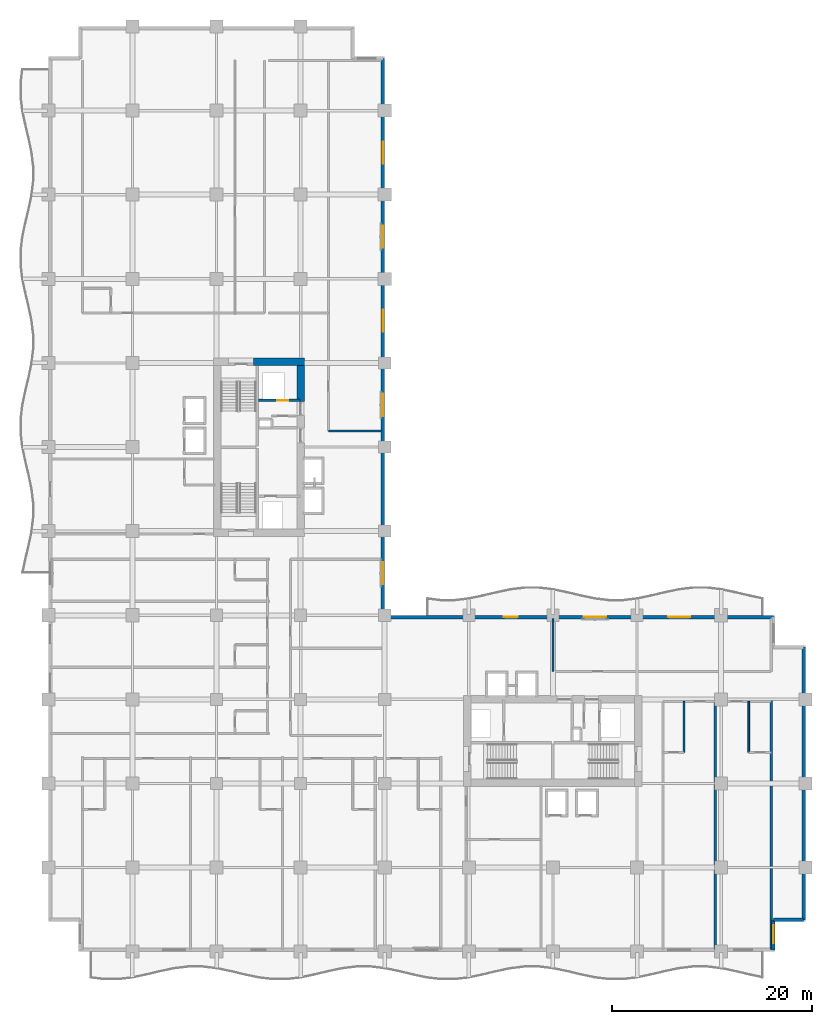
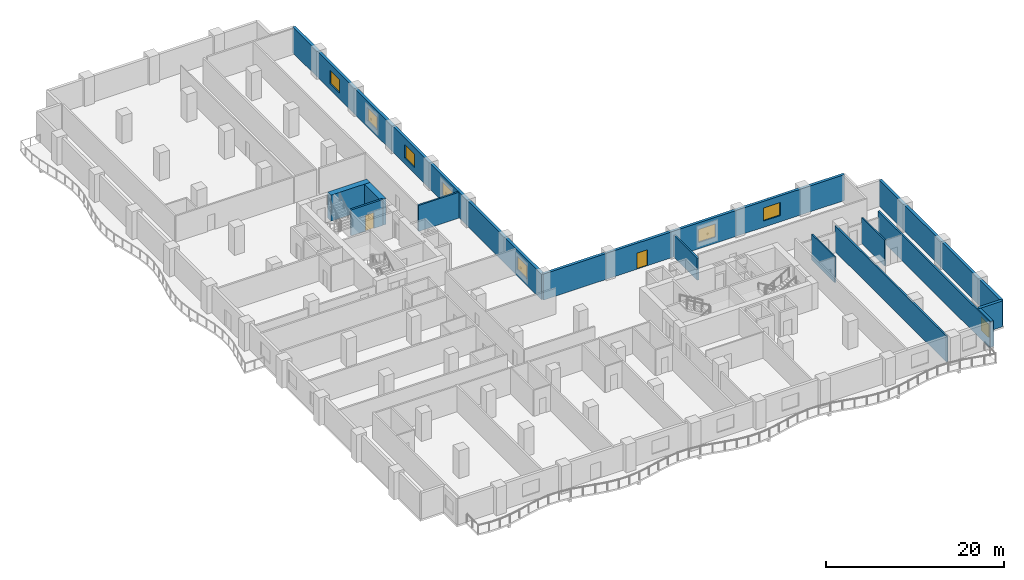
# One storey, part 9 of 18: 14 walls, 8 windows, 2 doors, 10 openings.
"""IFC4 building model written with IfcOpenShell, lengths in metres."""

from ifc_helpers import new_model, si_unit, direction, frame, frame_2d, origin, place, context, subcontext, project, spatial, rectangle, extrude, material, layer, layer_set, type_object, element, fill, save


model = new_model("IFC4")

# Units and contexts
model_context = context("Model", 3, precision=1e-05, world=origin(), true_north=direction((0.0, 1.0)))
body_context = subcontext(model_context, "Body", "Model", "MODEL_VIEW")
ifc_project = project(units=[si_unit("LENGTHUNIT", "METRE"), si_unit("AREAUNIT", "SQUARE_METRE"), si_unit("VOLUMEUNIT", "CUBIC_METRE"), si_unit("PLANEANGLEUNIT", "RADIAN"), si_unit("MASSUNIT", "GRAM", prefix="KILO")], contexts=[model_context])

# Site, building, storey
site_placement = place(None, origin())
site = spatial("IfcSite", under=ifc_project, at=site_placement, CompositionType="ELEMENT")
building_placement = place(site_placement, origin())
building = spatial("IfcBuilding", under=site, at=building_placement, Name="Koriwani Terraces Tower", CompositionType="ELEMENT")
storey_placement = place(building_placement, frame((0.0, 0.0, 115.199951171875)))
storey = spatial("IfcBuildingStorey", under=building, at=storey_placement, Name="L27", CompositionType="ELEMENT", Elevation=115.199951171875)

# Walls
ifc_material_1 = material(Name="Concrete C60/75", Category="concrete")
ifc_layer_1 = layer(ifc_material_1, 0.75, Name="Concrete C60/75")
ifc_layer_set_1 = layer_set([ifc_layer_1], Name="Concrete C60/75")
wall_type_1 = type_object("IfcWallType", Name="WALL_CORE_RC_750", PredefinedType="SHEAR", material=ifc_layer_set_1)
wall_1_placement = place(storey_placement, frame((20.5, 58.925048828125, 0.0), z_axis=(0.0, 0.0, 1.0), x_axis=(1.0, 0.0, 0.0)))
element("IfcWall", 1, at=wall_1_placement, inside=storey, type_object=wall_type_1, Name="L27 West Split Core Shear Wall N2", PredefinedType="SHEAR", context=body_context, shape_type="SweptSolid", body=[
    extrude(rectangle(XDim=5.074951171875, YDim=0.75, at=frame_2d((2.53759765625, 0.0))), origin(), (0.0, 0.0, 1.0), 3.550048828125),
])
wall_2_placement = place(storey_placement, frame((25.199951171875, 54.949951171875, 0.0), z_axis=(0.0, 0.0, 1.0), x_axis=(0.0, 1.0, 0.0)))
element("IfcWall", 2, at=wall_2_placement, inside=storey, type_object=wall_type_1, Name="L27 West Split Core Shear Wall E3", PredefinedType="SHEAR", context=body_context, shape_type="SweptSolid", body=[
    extrude(rectangle(XDim=3.60009765625, YDim=0.75, at=frame_2d((1.800048828125, 0.0))), origin(), (0.0, 0.0, 1.0), 3.550048828125),
])
ifc_material_2 = material(Name="Autoclaved Cellular Concrete Blockwork", Category="masonry")
ifc_layer_2 = layer(ifc_material_2, 0.219970703125, Name="Autoclaved Cellular Concrete Blockwork")
ifc_layer_set_2 = layer_set([ifc_layer_2], Name="Autoclaved Cellular Concrete Blockwork")
wall_type_2 = type_object("IfcWallType", Name="WALL_DEMISING_220", PredefinedType="PARTITIONING", material=ifc_layer_set_2)
wall_3_placement = place(storey_placement, frame((28.0, 52.0, 0.0), z_axis=(0.0, 0.0, 1.0), x_axis=(1.0, 0.0, 0.0)))
element("IfcWall", 3, at=wall_3_placement, inside=storey, type_object=wall_type_2, Name="L27 Interior Wall WNWT2-S-L27", PredefinedType="PARTITIONING", context=body_context, shape_type="SweptSolid", body=[
    extrude(rectangle(XDim=5.300048828125, YDim=0.219970703125, at=frame_2d((2.64990234375, 0.0))), origin(), (0.0, 0.0, 1.0), 3.550048828125),
])
for number, where, z_axis, x_axis, name in (
    (4, (66.60009765625, 0.199951171875, 0.0), (0.0, 0.0, 1.0), (0.0, 1.0, 0.0), "L27 Interior Wall WDEM-L27-SE-1"),
    (5, (72.199951171875, 0.199951171875, 0.0), (0.0, 0.0, 1.0), (0.0, 1.0, 0.0), "L27 Interior Wall WDEME-L27-SE"),
):
    element("IfcWall", number, at=place(storey_placement, frame(where, z_axis=z_axis, x_axis=x_axis)), inside=storey, type_object=wall_type_2, Name=name, PredefinedType="PARTITIONING", context=body_context, shape_type="SweptSolid", body=[
        extrude(rectangle(XDim=24.97998046875, YDim=0.219970703125, at=frame_2d((12.489990234375, 0.0))), origin(), (0.0, 0.0, 1.0), 3.550048828125),
    ])
wall_4_placement = place(storey_placement, frame((50.39990234375, 28.0, 0.0), z_axis=(0.0, 0.0, 1.0), x_axis=(0.0, 1.0, 0.0)))
element("IfcWall", 6, at=wall_4_placement, inside=storey, type_object=wall_type_2, Name="L27 Interior Wall WSEC-W-L27", PredefinedType="PARTITIONING", context=body_context, shape_type="SweptSolid", body=[
    extrude(rectangle(XDim=5.300048828125, YDim=0.219970703125, at=frame_2d((2.64990234375, 0.0))), origin(), (0.0, 0.0, 1.0), 3.007080078125),
])

# Wall, openings, windows
ifc_material_3 = material(Name="Concrete C50/60", Category="concrete")
ifc_layer_3 = layer(ifc_material_3, 0.35009765625, Name="Concrete C50/60")
ifc_layer_set_3 = layer_set([ifc_layer_3], Name="Concrete C50/60")
wall_type_3 = type_object("IfcWallType", Name="WALL_EXT_BRUTALIST_350", PredefinedType="STANDARD", material=ifc_layer_set_3)
wall_5_placement = place(storey_placement, frame((33.425048828125, 89.22509765625, 0.0), z_axis=(0.0, 0.0, 1.0), x_axis=(0.0, -1.0, 0.0)))
wall_5 = element("IfcWall", 7, at=wall_5_placement, inside=storey, type_object=wall_type_3, Name="L27 Fair-Faced Brutalist Exterior Wall (NW_IN)", PredefinedType="STANDARD", context=body_context, shape_type="SweptSolid", body=[
    extrude(rectangle(XDim=55.800048828125, YDim=0.35009765625, at=frame_2d((27.89990234375, 0.0))), origin(), (0.0, 0.0, 1.0), 3.550048828125),
])
opening_1_placement = place(wall_5_placement, frame((50.324951171875, 0.0, 0.85009765625)))
opening_1 = element("IfcOpeningElement", 8, at=opening_1_placement, cuts=wall_5, Name="Opening W-01", PredefinedType="OPENING", context=body_context, shape_type="SweptSolid", body=[
    extrude(rectangle(XDim=2.199951171875, YDim=1.800048828125, at=frame_2d((1.10009765625, 0.89990234375))), frame((0.0, 0.18505859375, 0.0), z_axis=(0.0, -1.0, 0.0), x_axis=(1.0, 0.0, 0.0)), (0.0, 0.0, 1.0), 0.3701171875),
])
opening_2_placement = place(wall_5_placement, frame((33.52490234375, 0.0, 0.85009765625)))
opening_2 = element("IfcOpeningElement", 9, at=opening_2_placement, cuts=wall_5, Name="Opening W-01", PredefinedType="OPENING", context=body_context, shape_type="SweptSolid", body=[
    extrude(rectangle(XDim=2.199951171875, YDim=1.800048828125, at=frame_2d((1.10009765625, 0.89990234375))), frame((0.0, 0.18505859375, 0.0), z_axis=(0.0, -1.0, 0.0), x_axis=(1.0, 0.0, 0.0)), (0.0, 0.0, 1.0), 0.3701171875),
])
opening_3_placement = place(wall_5_placement, frame((25.125, 0.0, 0.85009765625)))
opening_3 = element("IfcOpeningElement", 10, at=opening_3_placement, cuts=wall_5, Name="Opening W-01", PredefinedType="OPENING", context=body_context, shape_type="SweptSolid", body=[
    extrude(rectangle(XDim=2.199951171875, YDim=1.800048828125, at=frame_2d((1.10009765625, 0.89990234375))), frame((0.0, 0.18505859375, 0.0), z_axis=(0.0, -1.0, 0.0), x_axis=(1.0, 0.0, 0.0)), (0.0, 0.0, 1.0), 0.3701171875),
])
opening_4_placement = place(wall_5_placement, frame((16.72509765625, 0.0, 0.85009765625)))
opening_4 = element("IfcOpeningElement", 11, at=opening_4_placement, cuts=wall_5, Name="Opening W-01", PredefinedType="OPENING", context=body_context, shape_type="SweptSolid", body=[
    extrude(rectangle(XDim=2.199951171875, YDim=1.800048828125, at=frame_2d((1.10009765625, 0.89990234375))), frame((0.0, 0.18505859375, 0.0), z_axis=(0.0, -1.0, 0.0), x_axis=(1.0, 0.0, 0.0)), (0.0, 0.0, 1.0), 0.3701171875),
])
opening_5_placement = place(wall_5_placement, frame((8.324951171875, 0.0, 0.85009765625)))
opening_5 = element("IfcOpeningElement", 12, at=opening_5_placement, cuts=wall_5, Name="Opening W-01", PredefinedType="OPENING", context=body_context, shape_type="SweptSolid", body=[
    extrude(rectangle(XDim=2.199951171875, YDim=1.800048828125, at=frame_2d((1.10009765625, 0.89990234375))), frame((0.0, 0.18505859375, 0.0), z_axis=(0.0, -1.0, 0.0), x_axis=(1.0, 0.0, 0.0)), (0.0, 0.0, 1.0), 0.3701171875),
])
ifc_material_4 = material(Name="Tempered Laminated Low-E Glass", Category="glass")
window_type_1 = type_object("IfcWindowType", Name="WIN_HOTEL_STD_2200X1800", PartitioningType="DOUBLE_PANEL_VERTICAL", PredefinedType="WINDOW", material=ifc_material_4)
window_1_placement = place(opening_1_placement, origin())
window_1 = element("IfcWindow", 13, at=window_1_placement, inside=storey, type_object=window_type_1, Name="L27 Exterior Window (NW_IN-2)", OverallHeight=1.800048828125, OverallWidth=2.199951171875, PartitioningType="SINGLE_PANEL", PredefinedType="WINDOW", context=body_context, shape_type="SweptSolid", body=[
    extrude(rectangle(XDim=2.199951171875, YDim=1.800048828125, at=frame_2d((1.10009765625, 0.89990234375))), frame((0.0, 0.030029296875, 0.0), z_axis=(0.0, -1.0, 0.0), x_axis=(1.0, 0.0, 0.0)), (0.0, 0.0, 1.0), 0.06005859375),
])
fill(opening_1, window_1)
window_2_placement = place(opening_2_placement, origin())
window_2 = element("IfcWindow", 14, at=window_2_placement, inside=storey, type_object=window_type_1, Name="L27 Exterior Window (NW_IN-8)", OverallHeight=1.800048828125, OverallWidth=2.199951171875, PartitioningType="SINGLE_PANEL", PredefinedType="WINDOW", context=body_context, shape_type="SweptSolid", body=[
    extrude(rectangle(XDim=2.199951171875, YDim=1.800048828125, at=frame_2d((1.10009765625, 0.89990234375))), frame((0.0, 0.030029296875, 0.0), z_axis=(0.0, -1.0, 0.0), x_axis=(1.0, 0.0, 0.0)), (0.0, 0.0, 1.0), 0.06005859375),
])
fill(opening_2, window_2)
window_3_placement = place(opening_3_placement, origin())
window_3 = element("IfcWindow", 15, at=window_3_placement, inside=storey, type_object=window_type_1, Name="L27 Exterior Window (NW_IN-11)", OverallHeight=1.800048828125, OverallWidth=2.199951171875, PartitioningType="SINGLE_PANEL", PredefinedType="WINDOW", context=body_context, shape_type="SweptSolid", body=[
    extrude(rectangle(XDim=2.199951171875, YDim=1.800048828125, at=frame_2d((1.10009765625, 0.89990234375))), frame((0.0, 0.030029296875, 0.0), z_axis=(0.0, -1.0, 0.0), x_axis=(1.0, 0.0, 0.0)), (0.0, 0.0, 1.0), 0.06005859375),
])
fill(opening_3, window_3)
window_4_placement = place(opening_4_placement, origin())
window_4 = element("IfcWindow", 16, at=window_4_placement, inside=storey, type_object=window_type_1, Name="L27 Exterior Window (NW_IN-14)", OverallHeight=1.800048828125, OverallWidth=2.199951171875, PartitioningType="SINGLE_PANEL", PredefinedType="WINDOW", context=body_context, shape_type="SweptSolid", body=[
    extrude(rectangle(XDim=2.199951171875, YDim=1.800048828125, at=frame_2d((1.10009765625, 0.89990234375))), frame((0.0, 0.030029296875, 0.0), z_axis=(0.0, -1.0, 0.0), x_axis=(1.0, 0.0, 0.0)), (0.0, 0.0, 1.0), 0.06005859375),
])
fill(opening_4, window_4)
window_5_placement = place(opening_5_placement, origin())
window_5 = element("IfcWindow", 17, at=window_5_placement, inside=storey, type_object=window_type_1, Name="L27 Exterior Window (NW_IN-17)", OverallHeight=1.800048828125, OverallWidth=2.199951171875, PartitioningType="SINGLE_PANEL", PredefinedType="WINDOW", context=body_context, shape_type="SweptSolid", body=[
    extrude(rectangle(XDim=2.199951171875, YDim=1.800048828125, at=frame_2d((1.10009765625, 0.89990234375))), frame((0.0, 0.030029296875, 0.0), z_axis=(0.0, -1.0, 0.0), x_axis=(1.0, 0.0, 0.0)), (0.0, 0.0, 1.0), 0.06005859375),
])
fill(opening_5, window_5)

# Wall, openings, door, windows
wall_6_placement = place(storey_placement, frame((33.425048828125, 33.425048828125, 0.0), z_axis=(0.0, 0.0, 1.0), x_axis=(1.0, 0.0, 0.0)))
wall_6 = element("IfcWall", 18, at=wall_6_placement, inside=storey, type_object=wall_type_3, Name="L27 Fair-Faced Brutalist Exterior Wall (NE)", PredefinedType="STANDARD", context=body_context, shape_type="SweptSolid", body=[
    extrude(rectangle(XDim=39.0, YDim=0.35009765625, at=frame_2d((19.5, 0.0))), origin(), (0.0, 0.0, 1.0), 3.550048828125),
])
opening_6_placement = place(wall_6_placement, frame((12.074951171875, 0.0, 0.0)))
opening_6 = element("IfcOpeningElement", 19, at=opening_6_placement, cuts=wall_6, Name="Opening D-09", PredefinedType="OPENING", context=body_context, shape_type="SweptSolid", body=[
    extrude(rectangle(XDim=1.39990234375, YDim=2.199951171875, at=frame_2d((0.699951171875, 1.10009765625))), frame((0.0, 0.18505859375, 0.0), z_axis=(0.0, -1.0, 0.0), x_axis=(1.0, 0.0, 0.0)), (0.0, 0.0, 1.0), 0.3701171875),
])
opening_7_placement = place(wall_6_placement, frame((20.074951171875, 0.0, 0.85009765625)))
opening_7 = element("IfcOpeningElement", 20, at=opening_7_placement, cuts=wall_6, Name="Opening W-01", PredefinedType="OPENING", context=body_context, shape_type="SweptSolid", body=[
    extrude(rectangle(XDim=2.199951171875, YDim=1.800048828125, at=frame_2d((1.10009765625, 0.89990234375))), frame((0.0, 0.18505859375, 0.0), z_axis=(0.0, -1.0, 0.0), x_axis=(1.0, 0.0, 0.0)), (0.0, 0.0, 1.0), 0.3701171875),
])
opening_8_placement = place(wall_6_placement, frame((28.47509765625, 0.0, 0.85009765625)))
opening_8 = element("IfcOpeningElement", 21, at=opening_8_placement, cuts=wall_6, Name="Opening W-01", PredefinedType="OPENING", context=body_context, shape_type="SweptSolid", body=[
    extrude(rectangle(XDim=2.199951171875, YDim=1.800048828125, at=frame_2d((1.10009765625, 0.89990234375))), frame((0.0, 0.18505859375, 0.0), z_axis=(0.0, -1.0, 0.0), x_axis=(1.0, 0.0, 0.0)), (0.0, 0.0, 1.0), 0.3701171875),
])
ifc_material_5 = material(Name="Anodised Bronze Aluminium", Category="aluminium")
door_type_1 = type_object("IfcDoorType", Name="DOOR_BALCONY_GLAZED_1400X2200", OperationType="NOTDEFINED", PredefinedType="DOOR", material=ifc_material_5)
door_1_placement = place(opening_6_placement, origin())
door_1 = element("IfcDoor", 22, at=door_1_placement, inside=storey, type_object=door_type_1, Name="L27 Inner Court Balcony Glazed Door", OperationType="SINGLE_SWING_LEFT", OverallHeight=2.199951171875, OverallWidth=1.39990234375, PredefinedType="DOOR", context=body_context, shape_type="SweptSolid", body=[
    extrude(rectangle(XDim=1.39990234375, YDim=2.199951171875, at=frame_2d((0.699951171875, 1.10009765625))), frame((0.0, 0.02490234375, 0.0), z_axis=(0.0, -1.0, 0.0), x_axis=(1.0, 0.0, 0.0)), (0.0, 0.0, 1.0), 0.050048828125),
])
fill(opening_6, door_1)
window_6_placement = place(opening_7_placement, origin())
window_6 = element("IfcWindow", 23, at=window_6_placement, inside=storey, type_object=window_type_1, Name="L27 Exterior Window (NE-8)", OverallHeight=1.800048828125, OverallWidth=2.199951171875, PartitioningType="SINGLE_PANEL", PredefinedType="WINDOW", context=body_context, shape_type="SweptSolid", body=[
    extrude(rectangle(XDim=2.199951171875, YDim=1.800048828125, at=frame_2d((1.10009765625, 0.89990234375))), frame((0.0, 0.030029296875, 0.0), z_axis=(0.0, -1.0, 0.0), x_axis=(1.0, 0.0, 0.0)), (0.0, 0.0, 1.0), 0.06005859375),
])
fill(opening_7, window_6)
window_7_placement = place(opening_8_placement, origin())
window_7 = element("IfcWindow", 24, at=window_7_placement, inside=storey, type_object=window_type_1, Name="L27 Exterior Window (NE-11)", OverallHeight=1.800048828125, OverallWidth=2.199951171875, PartitioningType="SINGLE_PANEL", PredefinedType="WINDOW", context=body_context, shape_type="SweptSolid", body=[
    extrude(rectangle(XDim=2.199951171875, YDim=1.800048828125, at=frame_2d((1.10009765625, 0.89990234375))), frame((0.0, 0.030029296875, 0.0), z_axis=(0.0, -1.0, 0.0), x_axis=(1.0, 0.0, 0.0)), (0.0, 0.0, 1.0), 0.06005859375),
])
fill(opening_8, window_7)

# Walls
wall_7_placement = place(storey_placement, frame((75.425048828125, 30.425048828125, 0.0), z_axis=(0.0, 0.0, 1.0), x_axis=(0.0, -1.0, 0.0)))
element("IfcWall", 25, at=wall_7_placement, inside=storey, type_object=wall_type_3, Name="L27 Fair-Faced Brutalist Exterior Wall (E_TIP)", PredefinedType="STANDARD", context=body_context, shape_type="SweptSolid", body=[
    extrude(rectangle(XDim=27.25, YDim=0.35009765625, at=frame_2d((13.625, 0.0))), origin(), (0.0, 0.0, 1.0), 3.550048828125),
])
wall_8_placement = place(storey_placement, frame((75.425048828125, 3.175048828125, 0.0), z_axis=(0.0, 0.0, 1.0), x_axis=(-1.0, 0.0, 0.0)))
element("IfcWall", 26, at=wall_8_placement, inside=storey, type_object=wall_type_3, Name="L27 Fair-Faced Brutalist Exterior Wall (N13)", PredefinedType="STANDARD", context=body_context, shape_type="SweptSolid", body=[
    extrude(rectangle(XDim=3.0, YDim=0.35009765625, at=frame_2d((1.5, 0.0))), origin(), (0.0, 0.0, 1.0), 3.550048828125),
])

# Wall, opening, window
wall_9_placement = place(storey_placement, frame((72.425048828125, 3.175048828125, 0.0), z_axis=(0.0, 0.0, 1.0), x_axis=(0.0, -1.0, 0.0)))
wall_9 = element("IfcWall", 27, at=wall_9_placement, inside=storey, type_object=wall_type_3, Name="L27 Fair-Faced Brutalist Exterior Wall (N14)", PredefinedType="STANDARD", context=body_context, shape_type="SweptSolid", body=[
    extrude(rectangle(XDim=3.0, YDim=0.35009765625, at=frame_2d((1.5, 0.0))), origin(), (0.0, 0.0, 1.0), 3.550048828125),
])
opening_9_placement = place(wall_9_placement, frame((0.5224609375, 0.0, 0.85009765625)))
opening_9 = element("IfcOpeningElement", 28, at=opening_9_placement, cuts=wall_9, Name="Opening W-04", PredefinedType="OPENING", context=body_context, shape_type="SweptSolid", body=[
    extrude(rectangle(XDim=1.800048828125, YDim=1.800048828125, at=frame_2d((0.89990234375, 0.89990234375))), frame((0.0, 0.18505859375, 0.0), z_axis=(0.0, -1.0, 0.0), x_axis=(1.0, 0.0, 0.0)), (0.0, 0.0, 1.0), 0.3701171875),
])
window_type_2 = type_object("IfcWindowType", Name="WIN_RES_BED_1800X1800", PartitioningType="DOUBLE_PANEL_VERTICAL", PredefinedType="WINDOW", material=ifc_material_4)
window_8_placement = place(opening_9_placement, origin())
window_8 = element("IfcWindow", 29, at=window_8_placement, inside=storey, type_object=window_type_2, Name="L27 Exterior Window (N14-R51)", OverallHeight=1.800048828125, OverallWidth=1.800048828125, PartitioningType="SINGLE_PANEL", PredefinedType="WINDOW", context=body_context, shape_type="SweptSolid", body=[
    extrude(rectangle(XDim=1.800048828125, YDim=1.800048828125, at=frame_2d((0.89990234375, 0.89990234375))), frame((0.0, 0.030029296875, 0.0), z_axis=(0.0, -1.0, 0.0), x_axis=(1.0, 0.0, 0.0)), (0.0, 0.0, 1.0), 0.06005859375),
])
fill(opening_9, window_8)

# Walls
ifc_material_6 = material(Name="Fire-Rated Acoustic Gypsum Partition", Category="masonry")
ifc_layer_4 = layer(ifc_material_6, 0.179931640625, Name="Fire-Rated Acoustic Gypsum Partition")
ifc_layer_set_4 = layer_set([ifc_layer_4], Name="Fire-Rated Acoustic Gypsum Partition")
wall_type_4 = type_object("IfcWallType", Name="WALL_PLUMBING_180", PredefinedType="PLUMBINGWALL", material=ifc_layer_set_4)
for number, where, z_axis, x_axis, name in (
    (30, (63.47998046875, 19.89990234375, 0.0), (0.0, 0.0, 1.0), (0.0, 1.0, 0.0), "L27 Interior Wall WBTH2-L27-SE-0"),
    (31, (69.9599609375, 19.89990234375, 0.0), (0.0, 0.0, 1.0), (0.0, 1.0, 0.0), "L27 Interior Wall WBTH2-L27-SE-1"),
):
    element("IfcWall", number, at=place(storey_placement, frame(where, z_axis=z_axis, x_axis=x_axis)), inside=storey, type_object=wall_type_4, Name=name, PredefinedType="PLUMBINGWALL", context=body_context, shape_type="SweptSolid", body=[
        extrude(rectangle(XDim=5.10009765625, YDim=0.179931640625, at=frame_2d((2.550048828125, 0.0))), origin(), (0.0, 0.0, 1.0), 3.550048828125),
    ])

# Wall, opening, door
ifc_material_7 = material(Name="Concrete C40/50", Category="concrete")
ifc_layer_5 = layer(ifc_material_7, 0.25, Name="Concrete C40/50")
ifc_layer_set_5 = layer_set([ifc_layer_5], Name="Concrete C40/50")
wall_type_5 = type_object("IfcWallType", Name="WALL_SHAFT_RATED_250", PredefinedType="SOLIDWALL", material=ifc_layer_set_5)
wall_10_placement = place(storey_placement, frame((21.0, 55.050048828125, 0.0), z_axis=(0.0, 0.0, 1.0), x_axis=(1.0, 0.0, 0.0)))
wall_10 = element("IfcWall", 32, at=wall_10_placement, inside=storey, type_object=wall_type_5, Name="L27 Interior Wall WIN-CW-L27-SE", PredefinedType="SOLIDWALL", context=body_context, shape_type="SweptSolid", body=[
    extrude(rectangle(XDim=4.14990234375, YDim=0.25, at=frame_2d((2.074951171875, 0.0))), origin(), (0.0, 0.0, 1.0), 3.550048828125),
])
opening_10_placement = place(wall_10_placement, frame((1.85009765625, 0.0, 0.0)))
opening_10 = element("IfcOpeningElement", 33, at=opening_10_placement, cuts=wall_10, Name="Opening LD-01", PredefinedType="OPENING", context=body_context, shape_type="SweptSolid", body=[
    extrude(rectangle(XDim=1.10009765625, YDim=2.14990234375, at=frame_2d((0.550048828125, 1.074951171875))), frame((0.0, 0.135009765625, 0.0), z_axis=(0.0, -1.0, 0.0), x_axis=(1.0, 0.0, 0.0)), (0.0, 0.0, 1.0), 0.27001953125),
])
ifc_material_8 = material(Name="Steel ASTM A572 Grade 50", Category="steel")
door_type_2 = type_object("IfcDoorType", Name="DOOR_LIFT_LANDING_1100X2200", OperationType="NOTDEFINED", PredefinedType="DOOR", material=ifc_material_8)
door_2_placement = place(opening_10_placement, origin())
door_2 = element("IfcDoor", 34, at=door_2_placement, inside=storey, type_object=door_type_2, Name="L27 Goods Lift SE-01 Landing Door", OperationType="SLIDING_TO_LEFT", OverallHeight=2.14990234375, OverallWidth=1.10009765625, PredefinedType="DOOR", context=body_context, shape_type="SweptSolid", body=[
    extrude(rectangle(XDim=1.10009765625, YDim=2.14990234375, at=frame_2d((0.550048828125, 1.074951171875))), frame((0.0, 0.02490234375, 0.0), z_axis=(0.0, -1.0, 0.0), x_axis=(1.0, 0.0, 0.0)), (0.0, 0.0, 1.0), 0.050048828125),
])
fill(opening_10, door_2)

save(model, "model.ifc")
